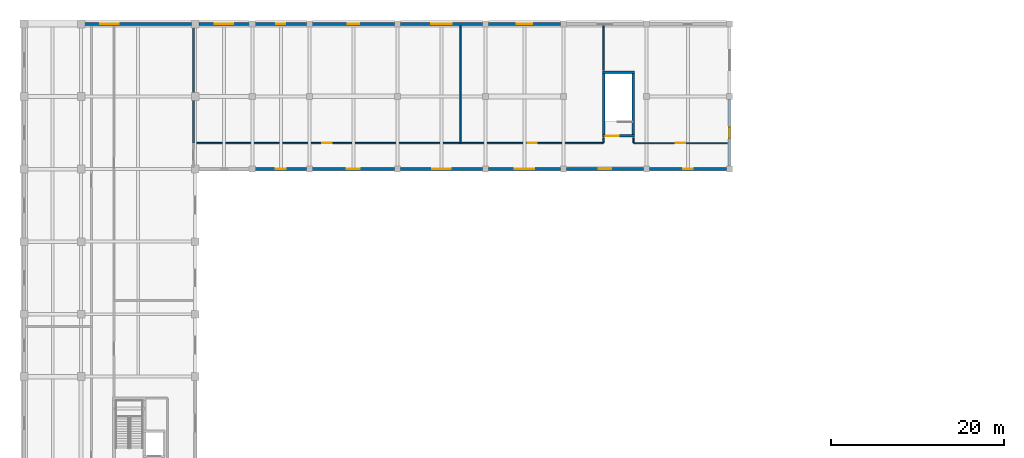
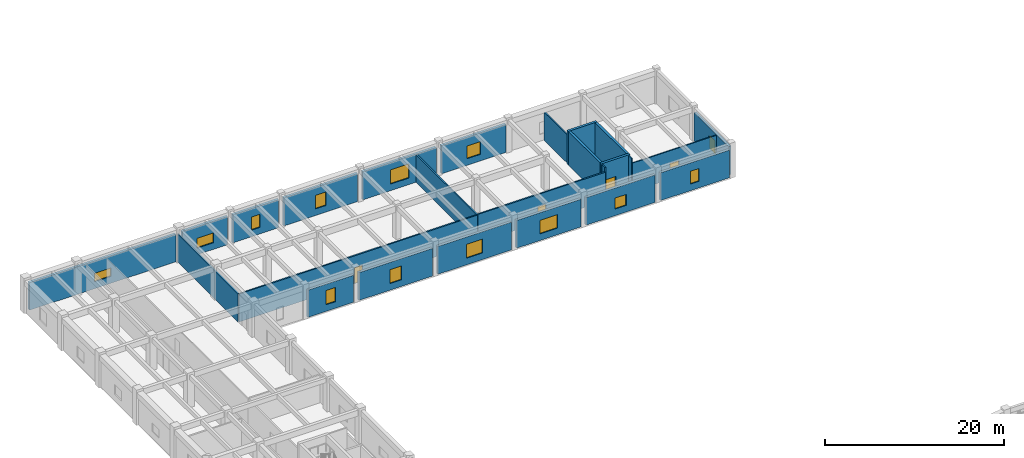
# One storey, part 53 of 68: 25 walls, 13 windows, 4 doors, 17 openings.
"""IFC4 building model written with IfcOpenShell, lengths in metres."""

from ifc_helpers import new_model, si_unit, direction, frame, frame_2d, origin, place, context, subcontext, project, spatial, rectangle, extrude, material, layer, layer_set, type_object, element, fill, save


model = new_model("IFC4")

# Units and contexts
model_context = context("Model", 3, precision=1e-05, world=origin(), true_north=direction((0.0, 1.0)))
body_context = subcontext(model_context, "Body", "Model", "MODEL_VIEW")
ifc_project = project(units=[si_unit("LENGTHUNIT", "METRE"), si_unit("AREAUNIT", "SQUARE_METRE"), si_unit("VOLUMEUNIT", "CUBIC_METRE"), si_unit("PLANEANGLEUNIT", "RADIAN"), si_unit("MASSUNIT", "GRAM", prefix="KILO")], contexts=[model_context])

# Site, building, storey
site_placement = place(None, origin())
site = spatial("IfcSite", under=ifc_project, at=site_placement, CompositionType="ELEMENT")
building_placement = place(site_placement, origin())
building = spatial("IfcBuilding", under=site, at=building_placement, Name="Miralva Faculty of Natural Sciences", CompositionType="ELEMENT")
storey_placement = place(building_placement, frame((0.0, 0.0, 5.39990234375)))
storey = spatial("IfcBuildingStorey", under=building, at=storey_placement, Name="L01", CompositionType="ELEMENT", Elevation=5.39990234375)

# Wall, opening, door
ifc_material_1 = material(Name="Concrete C40/50", Category="concrete")
ifc_layer_1 = layer(ifc_material_1, 0.300048828125, Name="WL-CW03")
ifc_layer_set_1 = layer_set([ifc_layer_1], Name="Concrete C40/50")
wall_type_1 = type_object("IfcWallType", Name="WL-CW03", PredefinedType="SHEAR", material=ifc_layer_set_1)
wall_1_placement = place(storey_placement, frame((69.89990234375, 104.050048828125, 0.0), z_axis=(0.0, 0.0, 1.0), x_axis=(1.0, 0.0, 0.0)))
wall_1 = element("IfcWall", 1, at=wall_1_placement, inside=storey, type_object=wall_type_1, Name="Core C5 shear wall south L01", PredefinedType="SHEAR", context=body_context, shape_type="SweptSolid", body=[
    extrude(rectangle(XDim=3.75, YDim=0.300048828125, at=frame_2d((1.875, 0.0))), origin(), (0.0, 0.0, 1.0), 4.580078125),
])
opening_1_placement = place(wall_1_placement, frame((0.39990234375, 0.0, 0.0)))
opening_1 = element("IfcOpeningElement", 2, at=opening_1_placement, cuts=wall_1, Name="Opening D-11", PredefinedType="OPENING", context=body_context, shape_type="SweptSolid", body=[
    extrude(rectangle(XDim=1.5, YDim=2.199951171875, at=frame_2d((0.75, 1.10009765625))), frame((0.0, 0.159912109375, 0.0), z_axis=(0.0, -1.0, 0.0), x_axis=(1.0, 0.0, 0.0)), (0.0, 0.0, 1.0), 0.320068359375),
])
ifc_material_2 = material(Name="Galvanised steel", Category="steel")
door_type_1 = type_object("IfcDoorType", Name="DR-DI11", OperationType="DOUBLE_DOOR_SINGLE_SWING", PredefinedType="DOOR", material=ifc_material_2)
door_1_placement = place(opening_1_placement, frame((1.5, 0.0, 0.0), z_axis=(0.0, 0.0, 1.0), x_axis=(-1.0, 0.0, 0.0)))
door_1 = element("IfcDoor", 3, at=door_1_placement, inside=storey, type_object=door_type_1, Name="Protected exit stair door Core C5 L01", OperationType="DOUBLE_DOOR_SINGLE_SWING", OverallHeight=2.199951171875, OverallWidth=1.5, PredefinedType="DOOR", context=body_context, shape_type="SweptSolid", body=[
    extrude(rectangle(XDim=1.5, YDim=2.199951171875, at=frame_2d((0.75, 1.10009765625))), frame((0.0, 0.02490234375, 0.0), z_axis=(0.0, -1.0, 0.0), x_axis=(1.0, 0.0, 0.0)), (0.0, 0.0, 1.0), 0.050048828125),
])
fill(opening_1, door_1)

# Walls
wall_2_placement = place(storey_placement, frame((69.89990234375, 111.39990234375, 0.0), z_axis=(0.0, 0.0, 1.0), x_axis=(1.0, 0.0, 0.0)))
element("IfcWall", 4, at=wall_2_placement, inside=storey, type_object=wall_type_1, Name="Core C5 shear wall north L01", PredefinedType="SHEAR", context=body_context, shape_type="SweptSolid", body=[
    extrude(rectangle(XDim=3.75, YDim=0.300048828125, at=frame_2d((1.875, 0.0))), origin(), (0.0, 0.0, 1.0), 4.580078125),
])
for number, where, z_axis, x_axis, name in (
    (5, (70.050048828125, 104.199951171875, 0.0), (0.0, 0.0, 1.0), (0.0, 1.0, 0.0), "Core C5 shear wall west L01"),
    (6, (73.5, 104.199951171875, 0.0), (0.0, 0.0, 1.0), (0.0, 1.0, 0.0), "Core C5 shear wall east L01"),
):
    element("IfcWall", number, at=place(storey_placement, frame(where, z_axis=z_axis, x_axis=x_axis)), inside=storey, type_object=wall_type_1, Name=name, PredefinedType="SHEAR", context=body_context, shape_type="SweptSolid", body=[
        extrude(rectangle(XDim=7.050048828125, YDim=0.300048828125, at=frame_2d((3.52490234375, 0.0))), origin(), (0.0, 0.0, 1.0), 4.580078125),
    ])
ifc_material_3 = material(Name="Gypsum plasterboard")
ifc_layer_2 = layer(ifc_material_3, 0.179931640625, Name="WL-PT02")
ifc_layer_set_2 = layer_set([ifc_layer_2], Name="Gypsum plasterboard")
wall_type_2 = type_object("IfcWallType", Name="WL-PT02", PredefinedType="PARTITIONING", material=ifc_layer_set_2)
wall_3_placement = place(storey_placement, frame((22.60009765625, 103.22998046875, 0.0), z_axis=(0.0, 0.0, 1.0), x_axis=(0.0, 1.0, 0.0)))
element("IfcWall", 7, at=wall_3_placement, inside=storey, type_object=wall_type_2, Name="Interior partition PT-02 L01-232", PredefinedType="PARTITIONING", context=body_context, shape_type="SweptSolid", body=[
    extrude(rectangle(XDim=13.5400390625, YDim=0.179931640625, at=frame_2d((6.77001953125, 0.0))), origin(), (0.0, 0.0, 1.0), 3.8251953125),
])
wall_4_placement = place(storey_placement, frame((53.5, 103.22998046875, 0.0), z_axis=(0.0, 0.0, 1.0), x_axis=(0.0, 1.0, 0.0)))
element("IfcWall", 8, at=wall_4_placement, inside=storey, type_object=wall_type_2, Name="Interior partition PT-02 L01-234", PredefinedType="PARTITIONING", context=body_context, shape_type="SweptSolid", body=[
    extrude(rectangle(XDim=13.5400390625, YDim=0.179931640625, at=frame_2d((6.77001953125, 0.0))), origin(), (0.0, 0.0, 1.0), 3.795166015625),
])

# Wall, opening, door
wall_5_placement = place(storey_placement, frame((22.6298828125, 103.199951171875, 0.0), z_axis=(0.0, 0.0, 1.0), x_axis=(1.0, 0.0, 0.0)))
wall_5 = element("IfcWall", 9, at=wall_5_placement, inside=storey, type_object=wall_type_2, Name="Interior partition PT-02 L01-235", PredefinedType="PARTITIONING", context=body_context, shape_type="SweptSolid", body=[
    extrude(rectangle(XDim=30.840087890625, YDim=0.179931640625, at=frame_2d((15.419921875, 0.0))), origin(), (0.0, 0.0, 1.0), 3.8251953125),
])
opening_2_placement = place(wall_5_placement, frame((14.89501953125, 0.0, 0.0)))
opening_2 = element("IfcOpeningElement", 10, at=opening_2_placement, cuts=wall_5, Name="Opening D-15", PredefinedType="OPENING", context=body_context, shape_type="SweptSolid", body=[
    extrude(rectangle(XDim=1.050048828125, YDim=2.199951171875, at=frame_2d((0.52490234375, 1.10009765625))), frame((0.0, 0.099853515625, 0.0), z_axis=(0.0, -1.0, 0.0), x_axis=(1.0, 0.0, 0.0)), (0.0, 0.0, 1.0), 0.199951171875),
])
door_type_2 = type_object("IfcDoorType", Name="DR-DI15", OperationType="NOTDEFINED", PredefinedType="DOOR", material=ifc_material_2)
door_2_placement = place(opening_2_placement, origin())
door_2 = element("IfcDoor", 11, at=door_2_placement, inside=storey, type_object=door_type_2, Name="Interior door D-15 L01-89", OperationType="SINGLE_SWING_RIGHT", OverallHeight=2.199951171875, OverallWidth=1.050048828125, PredefinedType="DOOR", context=body_context, shape_type="SweptSolid", body=[
    extrude(rectangle(XDim=1.050048828125, YDim=2.199951171875, at=frame_2d((0.52490234375, 1.10009765625))), frame((0.0, 0.02490234375, 0.0), z_axis=(0.0, -1.0, 0.0), x_axis=(1.0, 0.0, 0.0)), (0.0, 0.0, 1.0), 0.050048828125),
])
fill(opening_2, door_2)

# Walls
wall_6_placement = place(storey_placement, frame((70.050048828125, 111.6298828125, 0.0), z_axis=(0.0, 0.0, 1.0), x_axis=(0.0, 1.0, 0.0)))
element("IfcWall", 12, at=wall_6_placement, inside=storey, type_object=wall_type_2, Name="Interior partition PT-02 L01-236", PredefinedType="PARTITIONING", context=body_context, shape_type="SweptSolid", body=[
    extrude(rectangle(XDim=5.14013671875, YDim=0.179931640625, at=frame_2d((2.570068359375, 0.0))), origin(), (0.0, 0.0, 1.0), 3.84521484375),
])
wall_7_placement = place(storey_placement, frame((70.050048828125, 103.22998046875, 0.0), z_axis=(0.0, 0.0, 1.0), x_axis=(0.0, 1.0, 0.0)))
element("IfcWall", 13, at=wall_7_placement, inside=storey, type_object=wall_type_2, Name="Interior partition PT-02 L01-237", PredefinedType="PARTITIONING", context=body_context, shape_type="SweptSolid", body=[
    extrude(rectangle(XDim=0.590087890625, YDim=0.179931640625, at=frame_2d((0.294921875, 0.0))), origin(), (0.0, 0.0, 1.0), 4.47998046875),
])

# Wall, opening, door
wall_8_placement = place(storey_placement, frame((53.530029296875, 103.199951171875, 0.0), z_axis=(0.0, 0.0, 1.0), x_axis=(1.0, 0.0, 0.0)))
wall_8 = element("IfcWall", 14, at=wall_8_placement, inside=storey, type_object=wall_type_2, Name="Interior partition PT-02 L01-238", PredefinedType="PARTITIONING", context=body_context, shape_type="SweptSolid", body=[
    extrude(rectangle(XDim=16.489990234375, YDim=0.179931640625, at=frame_2d((8.2451171875, 0.0))), origin(), (0.0, 0.0, 1.0), 3.89501953125),
])
opening_3_placement = place(wall_8_placement, frame((7.719970703125, 0.0, 0.0)))
opening_3 = element("IfcOpeningElement", 15, at=opening_3_placement, cuts=wall_8, Name="Opening D-15", PredefinedType="OPENING", context=body_context, shape_type="SweptSolid", body=[
    extrude(rectangle(XDim=1.050048828125, YDim=2.199951171875, at=frame_2d((0.52490234375, 1.10009765625))), frame((0.0, 0.099853515625, 0.0), z_axis=(0.0, -1.0, 0.0), x_axis=(1.0, 0.0, 0.0)), (0.0, 0.0, 1.0), 0.199951171875),
])
door_3_placement = place(opening_3_placement, origin())
door_3 = element("IfcDoor", 16, at=door_3_placement, inside=storey, type_object=door_type_2, Name="Interior door D-15 L01-90", OperationType="SINGLE_SWING_LEFT", OverallHeight=2.199951171875, OverallWidth=1.050048828125, PredefinedType="DOOR", context=body_context, shape_type="SweptSolid", body=[
    extrude(rectangle(XDim=1.050048828125, YDim=2.199951171875, at=frame_2d((0.52490234375, 1.10009765625))), frame((0.0, 0.02490234375, 0.0), z_axis=(0.0, -1.0, 0.0), x_axis=(1.0, 0.0, 0.0)), (0.0, 0.0, 1.0), 0.050048828125),
])
fill(opening_3, door_3)

ifc_layer_3 = layer(ifc_material_3, 0.139892578125, Name="WL-PT04")
ifc_layer_set_3 = layer_set([ifc_layer_3], Name="Gypsum plasterboard")
wall_type_3 = type_object("IfcWallType", Name="WL-PT04", PredefinedType="PARTITIONING", material=ifc_layer_set_3)
wall_9_placement = place(storey_placement, frame((73.530029296875, 103.199951171875, 0.0), z_axis=(0.0, 0.0, 1.0), x_axis=(1.0, 0.0, 0.0)))
wall_9 = element("IfcWall", 17, at=wall_9_placement, inside=storey, type_object=wall_type_3, Name="Interior partition PT-04 L01-239", PredefinedType="PARTITIONING", context=body_context, shape_type="SweptSolid", body=[
    extrude(rectangle(XDim=10.840087890625, YDim=0.139892578125, at=frame_2d((5.419921875, 0.0))), origin(), (0.0, 0.0, 1.0), 3.89501953125),
])
opening_4_placement = place(wall_9_placement, frame((4.844970703125, 0.0, 0.0)))
opening_4 = element("IfcOpeningElement", 18, at=opening_4_placement, cuts=wall_9, Name="Opening D-24", PredefinedType="OPENING", context=body_context, shape_type="SweptSolid", body=[
    extrude(rectangle(XDim=1.14990234375, YDim=2.14990234375, at=frame_2d((0.574951171875, 1.074951171875))), frame((0.0, 0.079833984375, 0.0), z_axis=(0.0, -1.0, 0.0), x_axis=(1.0, 0.0, 0.0)), (0.0, 0.0, 1.0), 0.159912109375),
])
ifc_material_4 = material(Name="Anodised aluminium", Category="aluminium")
door_type_3 = type_object("IfcDoorType", Name="DR-DI24", OperationType="NOTDEFINED", PredefinedType="DOOR", material=ifc_material_4)
door_4_placement = place(opening_4_placement, origin())
door_4 = element("IfcDoor", 19, at=door_4_placement, inside=storey, type_object=door_type_3, Name="Interior door D-24 L01-91", OperationType="SINGLE_SWING_RIGHT", OverallHeight=2.14990234375, OverallWidth=1.14990234375, PredefinedType="DOOR", context=body_context, shape_type="SweptSolid", body=[
    extrude(rectangle(XDim=1.14990234375, YDim=2.14990234375, at=frame_2d((0.574951171875, 1.074951171875))), frame((0.0, 0.02490234375, 0.0), z_axis=(0.0, -1.0, 0.0), x_axis=(1.0, 0.0, 0.0)), (0.0, 0.0, 1.0), 0.050048828125),
])
fill(opening_4, door_4)

# Wall
wall_10_placement = place(storey_placement, frame((73.5, 103.22998046875, 0.0), z_axis=(0.0, 0.0, 1.0), x_axis=(0.0, 1.0, 0.0)))
element("IfcWall", 20, at=wall_10_placement, inside=storey, type_object=wall_type_3, Name="Interior partition PT-04 L01-240", PredefinedType="PARTITIONING", context=body_context, shape_type="SweptSolid", body=[
    extrude(rectangle(XDim=0.590087890625, YDim=0.139892578125, at=frame_2d((0.294921875, 0.0))), origin(), (0.0, 0.0, 1.0), 4.47998046875),
])

# Wall, opening, window
ifc_material_5 = material(Name="Precast concrete C40/50", Category="concrete")
ifc_layer_4 = layer(ifc_material_5, 0.320068359375, Name="WL-WT02")
ifc_layer_set_4 = layer_set([ifc_layer_4], Name="Precast concrete C40/50")
wall_type_4 = type_object("IfcWallType", Name="WL-WT02", PredefinedType="SOLIDWALL", material=ifc_layer_set_4)
wall_11_placement = place(storey_placement, frame((3.43505859375, 117.0, 0.0), z_axis=(0.0, 0.0, 1.0), x_axis=(1.0, 0.0, 0.0)))
wall_11 = element("IfcWall", 21, at=wall_11_placement, inside=storey, type_object=wall_type_4, Name="Exterior wall L01-195", PredefinedType="SOLIDWALL", context=body_context, shape_type="SweptSolid", body=[
    extrude(rectangle(XDim=18.929931640625, YDim=0.320068359375, at=frame_2d((9.46484375, 0.0))), origin(), (0.0, 0.0, 1.0), 3.775146484375),
])
opening_5_placement = place(wall_11_placement, frame((8.389892578125, 0.0, 0.949951171875)))
opening_5 = element("IfcOpeningElement", 22, at=opening_5_placement, cuts=wall_11, Name="Opening W-69", PredefinedType="OPENING", context=body_context, shape_type="SweptSolid", body=[
    extrude(rectangle(XDim=2.14990234375, YDim=1.14990234375, at=frame_2d((1.074951171875, 0.574951171875))), frame((0.0, 0.169921875, 0.0), z_axis=(0.0, -1.0, 0.0), x_axis=(1.0, 0.0, 0.0)), (0.0, 0.0, 1.0), 0.340087890625),
])
ifc_material_6 = material(Name="Laminated solar-control glass", Category="glass")
window_type_1 = type_object("IfcWindowType", Name="WN-W69", PartitioningType="DOUBLE_PANEL_VERTICAL", PredefinedType="WINDOW", material=ifc_material_6)
window_1_placement = place(opening_5_placement, origin())
window_1 = element("IfcWindow", 23, at=window_1_placement, inside=storey, type_object=window_type_1, Name="Window W-69 L01-132", OverallHeight=1.14990234375, OverallWidth=2.14990234375, PartitioningType="DOUBLE_PANEL_VERTICAL", PredefinedType="WINDOW", context=body_context, shape_type="SweptSolid", body=[
    extrude(rectangle(XDim=2.14990234375, YDim=1.14990234375, at=frame_2d((1.074951171875, 0.574951171875))), frame((0.0, 0.030029296875, 0.0), z_axis=(0.0, -1.0, 0.0), x_axis=(1.0, 0.0, 0.0)), (0.0, 0.0, 1.0), 0.06005859375),
])
fill(opening_5, window_1)

wall_12_placement = place(storey_placement, frame((23.235107421875, 117.0, 0.0), z_axis=(0.0, 0.0, 1.0), x_axis=(1.0, 0.0, 0.0)))
wall_12 = element("IfcWall", 24, at=wall_12_placement, inside=storey, type_object=wall_type_4, Name="Exterior wall L01-196", PredefinedType="SOLIDWALL", context=body_context, shape_type="SweptSolid", body=[
    extrude(rectangle(XDim=5.829833984375, YDim=0.320068359375, at=frame_2d((2.9150390625, 0.0))), origin(), (0.0, 0.0, 1.0), 3.84521484375),
])
opening_6_placement = place(wall_12_placement, frame((1.840087890625, 0.0, 0.89990234375)))
opening_6 = element("IfcOpeningElement", 25, at=opening_6_placement, cuts=wall_12, Name="Opening W-70", PredefinedType="OPENING", context=body_context, shape_type="SweptSolid", body=[
    extrude(rectangle(XDim=2.14990234375, YDim=1.35009765625, at=frame_2d((1.074951171875, 0.675048828125))), frame((0.0, 0.169921875, 0.0), z_axis=(0.0, -1.0, 0.0), x_axis=(1.0, 0.0, 0.0)), (0.0, 0.0, 1.0), 0.340087890625),
])
window_type_2 = type_object("IfcWindowType", Name="WN-W70", PartitioningType="DOUBLE_PANEL_VERTICAL", PredefinedType="WINDOW", material=ifc_material_6)
window_2_placement = place(opening_6_placement, origin())
window_2 = element("IfcWindow", 26, at=window_2_placement, inside=storey, type_object=window_type_2, Name="Window W-70 L01-133", OverallHeight=1.35009765625, OverallWidth=2.14990234375, PartitioningType="DOUBLE_PANEL_VERTICAL", PredefinedType="WINDOW", context=body_context, shape_type="SweptSolid", body=[
    extrude(rectangle(XDim=2.14990234375, YDim=1.35009765625, at=frame_2d((1.074951171875, 0.675048828125))), frame((0.0, 0.030029296875, 0.0), z_axis=(0.0, -1.0, 0.0), x_axis=(1.0, 0.0, 0.0)), (0.0, 0.0, 1.0), 0.06005859375),
])
fill(opening_6, window_2)

wall_13_placement = place(storey_placement, frame((29.735107421875, 117.0, 0.0), z_axis=(0.0, 0.0, 1.0), x_axis=(1.0, 0.0, 0.0)))
wall_13 = element("IfcWall", 27, at=wall_13_placement, inside=storey, type_object=wall_type_4, Name="Exterior wall L01-198", PredefinedType="SOLIDWALL", context=body_context, shape_type="SweptSolid", body=[
    extrude(rectangle(XDim=5.929931640625, YDim=0.320068359375, at=frame_2d((2.96484375, 0.0))), origin(), (0.0, 0.0, 1.0), 3.84521484375),
])
opening_7_placement = place(wall_13_placement, frame((2.43994140625, 0.0, 0.89990234375)))
opening_7 = element("IfcOpeningElement", 28, at=opening_7_placement, cuts=wall_13, Name="Opening W-02", PredefinedType="OPENING", context=body_context, shape_type="SweptSolid", body=[
    extrude(rectangle(XDim=1.050048828125, YDim=1.800048828125, at=frame_2d((0.52490234375, 0.89990234375))), frame((0.0, 0.169921875, 0.0), z_axis=(0.0, -1.0, 0.0), x_axis=(1.0, 0.0, 0.0)), (0.0, 0.0, 1.0), 0.340087890625),
])
window_type_3 = type_object("IfcWindowType", Name="WN-W02", PartitioningType="SINGLE_PANEL", PredefinedType="WINDOW", material=ifc_material_6)
window_3_placement = place(opening_7_placement, origin())
window_3 = element("IfcWindow", 29, at=window_3_placement, inside=storey, type_object=window_type_3, Name="Window W-02 L01-135", OverallHeight=1.800048828125, OverallWidth=1.050048828125, PartitioningType="SINGLE_PANEL", PredefinedType="WINDOW", context=body_context, shape_type="SweptSolid", body=[
    extrude(rectangle(XDim=1.050048828125, YDim=1.800048828125, at=frame_2d((0.52490234375, 0.89990234375))), frame((0.0, 0.030029296875, 0.0), z_axis=(0.0, -1.0, 0.0), x_axis=(1.0, 0.0, 0.0)), (0.0, 0.0, 1.0), 0.06005859375),
])
fill(opening_7, window_3)

wall_14_placement = place(storey_placement, frame((29.735107421875, 100.199951171875, 0.0), z_axis=(0.0, 0.0, 1.0), x_axis=(1.0, 0.0, 0.0)))
wall_14 = element("IfcWall", 30, at=wall_14_placement, inside=storey, type_object=wall_type_4, Name="Exterior wall L01-199", PredefinedType="SOLIDWALL", context=body_context, shape_type="SweptSolid", body=[
    extrude(rectangle(XDim=5.929931640625, YDim=0.320068359375, at=frame_2d((2.96484375, 0.0))), origin(), (0.0, 0.0, 1.0), 3.705078125),
])
opening_8_placement = place(wall_14_placement, frame((2.364990234375, 0.0, 0.89990234375)))
opening_8 = element("IfcOpeningElement", 31, at=opening_8_placement, cuts=wall_14, Name="Opening W-03", PredefinedType="OPENING", context=body_context, shape_type="SweptSolid", body=[
    extrude(rectangle(XDim=1.199951171875, YDim=1.949951171875, at=frame_2d((0.60009765625, 0.97509765625))), frame((0.0, 0.169921875, 0.0), z_axis=(0.0, -1.0, 0.0), x_axis=(1.0, 0.0, 0.0)), (0.0, 0.0, 1.0), 0.340087890625),
])
window_type_4 = type_object("IfcWindowType", Name="WN-W03", PartitioningType="DOUBLE_PANEL_HORIZONTAL", PredefinedType="WINDOW", material=ifc_material_6)
window_4_placement = place(opening_8_placement, frame((1.199951171875, 0.0, 0.0), z_axis=(0.0, 0.0, 1.0), x_axis=(-1.0, 0.0, 0.0)))
window_4 = element("IfcWindow", 32, at=window_4_placement, inside=storey, type_object=window_type_4, Name="Window W-03 L01-136", OverallHeight=1.949951171875, OverallWidth=1.199951171875, PartitioningType="DOUBLE_PANEL_HORIZONTAL", PredefinedType="WINDOW", context=body_context, shape_type="SweptSolid", body=[
    extrude(rectangle(XDim=1.199951171875, YDim=1.949951171875, at=frame_2d((0.60009765625, 0.97509765625))), frame((0.0, 0.030029296875, 0.0), z_axis=(0.0, -1.0, 0.0), x_axis=(1.0, 0.0, 0.0)), (0.0, 0.0, 1.0), 0.06005859375),
])
fill(opening_8, window_4)

wall_15_placement = place(storey_placement, frame((36.3349609375, 117.0, 0.0), z_axis=(0.0, 0.0, 1.0), x_axis=(1.0, 0.0, 0.0)))
wall_15 = element("IfcWall", 33, at=wall_15_placement, inside=storey, type_object=wall_type_4, Name="Exterior wall L01-200", PredefinedType="SOLIDWALL", context=body_context, shape_type="SweptSolid", body=[
    extrude(rectangle(XDim=9.530029296875, YDim=0.320068359375, at=frame_2d((4.76513671875, 0.0))), origin(), (0.0, 0.0, 1.0), 3.84521484375),
])
opening_9_placement = place(wall_15_placement, frame((4.090087890625, 0.0, 0.89990234375)))
opening_9 = element("IfcOpeningElement", 34, at=opening_9_placement, cuts=wall_15, Name="Opening W-05", PredefinedType="OPENING", context=body_context, shape_type="SweptSolid", body=[
    extrude(rectangle(XDim=1.35009765625, YDim=1.85009765625, at=frame_2d((0.675048828125, 0.925048828125))), frame((0.0, 0.169921875, 0.0), z_axis=(0.0, -1.0, 0.0), x_axis=(1.0, 0.0, 0.0)), (0.0, 0.0, 1.0), 0.340087890625),
])
window_type_5 = type_object("IfcWindowType", Name="WN-W05", PartitioningType="DOUBLE_PANEL_VERTICAL", PredefinedType="WINDOW", material=ifc_material_6)
window_5_placement = place(opening_9_placement, origin())
window_5 = element("IfcWindow", 35, at=window_5_placement, inside=storey, type_object=window_type_5, Name="Window W-05 L01-137", OverallHeight=1.85009765625, OverallWidth=1.35009765625, PartitioningType="DOUBLE_PANEL_VERTICAL", PredefinedType="WINDOW", context=body_context, shape_type="SweptSolid", body=[
    extrude(rectangle(XDim=1.35009765625, YDim=1.85009765625, at=frame_2d((0.675048828125, 0.925048828125))), frame((0.0, 0.030029296875, 0.0), z_axis=(0.0, -1.0, 0.0), x_axis=(1.0, 0.0, 0.0)), (0.0, 0.0, 1.0), 0.06005859375),
])
fill(opening_9, window_5)

wall_16_placement = place(storey_placement, frame((36.3349609375, 100.199951171875, 0.0), z_axis=(0.0, 0.0, 1.0), x_axis=(1.0, 0.0, 0.0)))
wall_16 = element("IfcWall", 36, at=wall_16_placement, inside=storey, type_object=wall_type_4, Name="Exterior wall L01-201", PredefinedType="SOLIDWALL", context=body_context, shape_type="SweptSolid", body=[
    extrude(rectangle(XDim=9.530029296875, YDim=0.320068359375, at=frame_2d((4.76513671875, 0.0))), origin(), (0.0, 0.0, 1.0), 3.795166015625),
])
opening_10_placement = place(wall_16_placement, frame((4.014892578125, 0.0, 0.89990234375)))
opening_10 = element("IfcOpeningElement", 37, at=opening_10_placement, cuts=wall_16, Name="Opening W-06", PredefinedType="OPENING", context=body_context, shape_type="SweptSolid", body=[
    extrude(rectangle(XDim=1.5, YDim=1.89990234375, at=frame_2d((0.75, 0.949951171875))), frame((0.0, 0.169921875, 0.0), z_axis=(0.0, -1.0, 0.0), x_axis=(1.0, 0.0, 0.0)), (0.0, 0.0, 1.0), 0.340087890625),
])
window_type_6 = type_object("IfcWindowType", Name="WN-W06", PartitioningType="DOUBLE_PANEL_VERTICAL", PredefinedType="WINDOW", material=ifc_material_6)
window_6_placement = place(opening_10_placement, frame((1.5, 0.0, 0.0), z_axis=(0.0, 0.0, 1.0), x_axis=(-1.0, 0.0, 0.0)))
window_6 = element("IfcWindow", 38, at=window_6_placement, inside=storey, type_object=window_type_6, Name="Window W-06 L01-138", OverallHeight=1.89990234375, OverallWidth=1.5, PartitioningType="DOUBLE_PANEL_VERTICAL", PredefinedType="WINDOW", context=body_context, shape_type="SweptSolid", body=[
    extrude(rectangle(XDim=1.5, YDim=1.89990234375, at=frame_2d((0.75, 0.949951171875))), frame((0.0, 0.030029296875, 0.0), z_axis=(0.0, -1.0, 0.0), x_axis=(1.0, 0.0, 0.0)), (0.0, 0.0, 1.0), 0.06005859375),
])
fill(opening_10, window_6)

wall_17_placement = place(storey_placement, frame((46.534912109375, 117.0, 0.0), z_axis=(0.0, 0.0, 1.0), x_axis=(1.0, 0.0, 0.0)))
wall_17 = element("IfcWall", 39, at=wall_17_placement, inside=storey, type_object=wall_type_4, Name="Exterior wall L01-202", PredefinedType="SOLIDWALL", context=body_context, shape_type="SweptSolid", body=[
    extrude(rectangle(XDim=9.530029296875, YDim=0.320068359375, at=frame_2d((4.76513671875, 0.0))), origin(), (0.0, 0.0, 1.0), 3.84521484375),
])
opening_11_placement = place(wall_17_placement, frame((3.56494140625, 0.0, 0.89990234375)))
opening_11 = element("IfcOpeningElement", 40, at=opening_11_placement, cuts=wall_17, Name="Opening W-07", PredefinedType="OPENING", context=body_context, shape_type="SweptSolid", body=[
    extrude(rectangle(XDim=2.39990234375, YDim=1.949951171875, at=frame_2d((1.199951171875, 0.97509765625))), frame((0.0, 0.169921875, 0.0), z_axis=(0.0, -1.0, 0.0), x_axis=(1.0, 0.0, 0.0)), (0.0, 0.0, 1.0), 0.340087890625),
])
window_type_7 = type_object("IfcWindowType", Name="WN-W07", PartitioningType="DOUBLE_PANEL_VERTICAL", PredefinedType="WINDOW", material=ifc_material_6)
window_7_placement = place(opening_11_placement, origin())
window_7 = element("IfcWindow", 41, at=window_7_placement, inside=storey, type_object=window_type_7, Name="Window W-07 L01-139", OverallHeight=1.949951171875, OverallWidth=2.39990234375, PartitioningType="DOUBLE_PANEL_VERTICAL", PredefinedType="WINDOW", context=body_context, shape_type="SweptSolid", body=[
    extrude(rectangle(XDim=2.39990234375, YDim=1.949951171875, at=frame_2d((1.199951171875, 0.97509765625))), frame((0.0, 0.030029296875, 0.0), z_axis=(0.0, -1.0, 0.0), x_axis=(1.0, 0.0, 0.0)), (0.0, 0.0, 1.0), 0.06005859375),
])
fill(opening_11, window_7)

wall_18_placement = place(storey_placement, frame((46.534912109375, 100.199951171875, 0.0), z_axis=(0.0, 0.0, 1.0), x_axis=(1.0, 0.0, 0.0)))
wall_18 = element("IfcWall", 42, at=wall_18_placement, inside=storey, type_object=wall_type_4, Name="Exterior wall L01-203", PredefinedType="SOLIDWALL", context=body_context, shape_type="SweptSolid", body=[
    extrude(rectangle(XDim=9.530029296875, YDim=0.320068359375, at=frame_2d((4.76513671875, 0.0))), origin(), (0.0, 0.0, 1.0), 3.80517578125),
])
opening_12_placement = place(wall_18_placement, frame((3.715087890625, 0.0, 0.89990234375)))
opening_12 = element("IfcOpeningElement", 43, at=opening_12_placement, cuts=wall_18, Name="Opening W-09", PredefinedType="OPENING", context=body_context, shape_type="SweptSolid", body=[
    extrude(rectangle(XDim=2.10009765625, YDim=1.89990234375, at=frame_2d((1.050048828125, 0.949951171875))), frame((0.0, 0.169921875, 0.0), z_axis=(0.0, -1.0, 0.0), x_axis=(1.0, 0.0, 0.0)), (0.0, 0.0, 1.0), 0.340087890625),
])
window_type_8 = type_object("IfcWindowType", Name="WN-W09", PartitioningType="DOUBLE_PANEL_VERTICAL", PredefinedType="WINDOW", material=ifc_material_6)
window_8_placement = place(opening_12_placement, frame((2.10009765625, 0.0, 0.0), z_axis=(0.0, 0.0, 1.0), x_axis=(-1.0, 0.0, 0.0)))
window_8 = element("IfcWindow", 44, at=window_8_placement, inside=storey, type_object=window_type_8, Name="Window W-09 L01-140", OverallHeight=1.89990234375, OverallWidth=2.10009765625, PartitioningType="DOUBLE_PANEL_VERTICAL", PredefinedType="WINDOW", context=body_context, shape_type="SweptSolid", body=[
    extrude(rectangle(XDim=2.10009765625, YDim=1.89990234375, at=frame_2d((1.050048828125, 0.949951171875))), frame((0.0, 0.030029296875, 0.0), z_axis=(0.0, -1.0, 0.0), x_axis=(1.0, 0.0, 0.0)), (0.0, 0.0, 1.0), 0.06005859375),
])
fill(opening_12, window_8)

wall_19_placement = place(storey_placement, frame((56.735107421875, 117.0, 0.0), z_axis=(0.0, 0.0, 1.0), x_axis=(1.0, 0.0, 0.0)))
wall_19 = element("IfcWall", 45, at=wall_19_placement, inside=storey, type_object=wall_type_4, Name="Exterior wall L01-204", PredefinedType="SOLIDWALL", context=body_context, shape_type="SweptSolid", body=[
    extrude(rectangle(XDim=8.329833984375, YDim=0.320068359375, at=frame_2d((4.1650390625, 0.0))), origin(), (0.0, 0.0, 1.0), 3.84521484375),
])
opening_13_placement = place(wall_19_placement, frame((3.264892578125, 0.0, 0.89990234375)))
opening_13 = element("IfcOpeningElement", 46, at=opening_13_placement, cuts=wall_19, Name="Opening W-10", PredefinedType="OPENING", context=body_context, shape_type="SweptSolid", body=[
    extrude(rectangle(XDim=1.800048828125, YDim=1.75, at=frame_2d((0.89990234375, 0.875))), frame((0.0, 0.169921875, 0.0), z_axis=(0.0, -1.0, 0.0), x_axis=(1.0, 0.0, 0.0)), (0.0, 0.0, 1.0), 0.340087890625),
])
window_type_9 = type_object("IfcWindowType", Name="WN-W10", PartitioningType="DOUBLE_PANEL_HORIZONTAL", PredefinedType="WINDOW", material=ifc_material_6)
window_9_placement = place(opening_13_placement, origin())
window_9 = element("IfcWindow", 47, at=window_9_placement, inside=storey, type_object=window_type_9, Name="Window W-10 L01-141", OverallHeight=1.75, OverallWidth=1.800048828125, PartitioningType="DOUBLE_PANEL_HORIZONTAL", PredefinedType="WINDOW", context=body_context, shape_type="SweptSolid", body=[
    extrude(rectangle(XDim=1.800048828125, YDim=1.75, at=frame_2d((0.89990234375, 0.875))), frame((0.0, 0.030029296875, 0.0), z_axis=(0.0, -1.0, 0.0), x_axis=(1.0, 0.0, 0.0)), (0.0, 0.0, 1.0), 0.06005859375),
])
fill(opening_13, window_9)

wall_20_placement = place(storey_placement, frame((56.735107421875, 100.199951171875, 0.0), z_axis=(0.0, 0.0, 1.0), x_axis=(1.0, 0.0, 0.0)))
wall_20 = element("IfcWall", 48, at=wall_20_placement, inside=storey, type_object=wall_type_4, Name="Exterior wall L01-205", PredefinedType="SOLIDWALL", context=body_context, shape_type="SweptSolid", body=[
    extrude(rectangle(XDim=8.329833984375, YDim=0.320068359375, at=frame_2d((4.1650390625, 0.0))), origin(), (0.0, 0.0, 1.0), 3.795166015625),
])
opening_14_placement = place(wall_20_placement, frame((3.0400390625, 0.0, 0.89990234375)))
opening_14 = element("IfcOpeningElement", 49, at=opening_14_placement, cuts=wall_20, Name="Opening W-12", PredefinedType="OPENING", context=body_context, shape_type="SweptSolid", body=[
    extrude(rectangle(XDim=2.25, YDim=1.85009765625, at=frame_2d((1.125, 0.925048828125))), frame((0.0, 0.169921875, 0.0), z_axis=(0.0, -1.0, 0.0), x_axis=(1.0, 0.0, 0.0)), (0.0, 0.0, 1.0), 0.340087890625),
])
window_type_10 = type_object("IfcWindowType", Name="WN-W12", PartitioningType="DOUBLE_PANEL_VERTICAL", PredefinedType="WINDOW", material=ifc_material_6)
window_10_placement = place(opening_14_placement, frame((2.25, 0.0, 0.0), z_axis=(0.0, 0.0, 1.0), x_axis=(-1.0, 0.0, 0.0)))
window_10 = element("IfcWindow", 50, at=window_10_placement, inside=storey, type_object=window_type_10, Name="Window W-12 L01-142", OverallHeight=1.85009765625, OverallWidth=2.25, PartitioningType="DOUBLE_PANEL_VERTICAL", PredefinedType="WINDOW", context=body_context, shape_type="SweptSolid", body=[
    extrude(rectangle(XDim=2.25, YDim=1.85009765625, at=frame_2d((1.125, 0.925048828125))), frame((0.0, 0.030029296875, 0.0), z_axis=(0.0, -1.0, 0.0), x_axis=(1.0, 0.0, 0.0)), (0.0, 0.0, 1.0), 0.06005859375),
])
fill(opening_14, window_10)

wall_21_placement = place(storey_placement, frame((65.735107421875, 100.199951171875, 0.0), z_axis=(0.0, 0.0, 1.0), x_axis=(1.0, 0.0, 0.0)))
wall_21 = element("IfcWall", 51, at=wall_21_placement, inside=storey, type_object=wall_type_4, Name="Exterior wall L01-207", PredefinedType="SOLIDWALL", context=body_context, shape_type="SweptSolid", body=[
    extrude(rectangle(XDim=8.929931640625, YDim=0.320068359375, at=frame_2d((4.46484375, 0.0))), origin(), (0.0, 0.0, 1.0), 3.76513671875),
])
opening_15_placement = place(wall_21_placement, frame((3.739990234375, 0.0, 0.89990234375)))
opening_15 = element("IfcOpeningElement", 52, at=opening_15_placement, cuts=wall_21, Name="Opening W-19", PredefinedType="OPENING", context=body_context, shape_type="SweptSolid", body=[
    extrude(rectangle(XDim=1.449951171875, YDim=1.5, at=frame_2d((0.72509765625, 0.75))), frame((0.0, 0.169921875, 0.0), z_axis=(0.0, -1.0, 0.0), x_axis=(1.0, 0.0, 0.0)), (0.0, 0.0, 1.0), 0.340087890625),
])
window_type_11 = type_object("IfcWindowType", Name="WN-W19", PartitioningType="SINGLE_PANEL", PredefinedType="WINDOW", material=ifc_material_6)
window_11_placement = place(opening_15_placement, frame((1.449951171875, 0.0, 0.0), z_axis=(0.0, 0.0, 1.0), x_axis=(-1.0, 0.0, 0.0)))
window_11 = element("IfcWindow", 53, at=window_11_placement, inside=storey, type_object=window_type_11, Name="Window W-19 L01-144", OverallHeight=1.5, OverallWidth=1.449951171875, PartitioningType="SINGLE_PANEL", PredefinedType="WINDOW", context=body_context, shape_type="SweptSolid", body=[
    extrude(rectangle(XDim=1.449951171875, YDim=1.5, at=frame_2d((0.72509765625, 0.75))), frame((0.0, 0.030029296875, 0.0), z_axis=(0.0, -1.0, 0.0), x_axis=(1.0, 0.0, 0.0)), (0.0, 0.0, 1.0), 0.06005859375),
])
fill(opening_15, window_11)

wall_22_placement = place(storey_placement, frame((75.3349609375, 100.199951171875, 0.0), z_axis=(0.0, 0.0, 1.0), x_axis=(1.0, 0.0, 0.0)))
wall_22 = element("IfcWall", 54, at=wall_22_placement, inside=storey, type_object=wall_type_4, Name="Exterior wall L01-209", PredefinedType="SOLIDWALL", context=body_context, shape_type="SweptSolid", body=[
    extrude(rectangle(XDim=8.929931640625, YDim=0.320068359375, at=frame_2d((4.46484375, 0.0))), origin(), (0.0, 0.0, 1.0), 3.795166015625),
])
opening_16_placement = place(wall_22_placement, frame((3.9150390625, 0.0, 0.89990234375)))
opening_16 = element("IfcOpeningElement", 55, at=opening_16_placement, cuts=wall_22, Name="Opening W-22", PredefinedType="OPENING", context=body_context, shape_type="SweptSolid", body=[
    extrude(rectangle(XDim=1.10009765625, YDim=1.75, at=frame_2d((0.550048828125, 0.875))), frame((0.0, 0.169921875, 0.0), z_axis=(0.0, -1.0, 0.0), x_axis=(1.0, 0.0, 0.0)), (0.0, 0.0, 1.0), 0.340087890625),
])
window_type_12 = type_object("IfcWindowType", Name="WN-W22", PartitioningType="DOUBLE_PANEL_VERTICAL", PredefinedType="WINDOW", material=ifc_material_6)
window_12_placement = place(opening_16_placement, frame((1.10009765625, 0.0, 0.0), z_axis=(0.0, 0.0, 1.0), x_axis=(-1.0, 0.0, 0.0)))
window_12 = element("IfcWindow", 56, at=window_12_placement, inside=storey, type_object=window_type_12, Name="Window W-22 L01-146", OverallHeight=1.75, OverallWidth=1.10009765625, PartitioningType="DOUBLE_PANEL_VERTICAL", PredefinedType="WINDOW", context=body_context, shape_type="SweptSolid", body=[
    extrude(rectangle(XDim=1.10009765625, YDim=1.75, at=frame_2d((0.550048828125, 0.875))), frame((0.0, 0.030029296875, 0.0), z_axis=(0.0, -1.0, 0.0), x_axis=(1.0, 0.0, 0.0)), (0.0, 0.0, 1.0), 0.06005859375),
])
fill(opening_16, window_12)

wall_23_placement = place(storey_placement, frame((84.60009765625, 100.534912109375, 0.0), z_axis=(0.0, 0.0, 1.0), x_axis=(0.0, 1.0, 0.0)))
wall_23 = element("IfcWall", 57, at=wall_23_placement, inside=storey, type_object=wall_type_4, Name="Exterior wall L01-210", PredefinedType="SOLIDWALL", context=body_context, shape_type="SweptSolid", body=[
    extrude(rectangle(XDim=7.72998046875, YDim=0.320068359375, at=frame_2d((3.864990234375, 0.0))), origin(), (0.0, 0.0, 1.0), 3.89501953125),
])
opening_17_placement = place(wall_23_placement, frame((3.239990234375, 0.0, 0.89990234375)))
opening_17 = element("IfcOpeningElement", 58, at=opening_17_placement, cuts=wall_23, Name="Opening W-23", PredefinedType="OPENING", context=body_context, shape_type="SweptSolid", body=[
    extrude(rectangle(XDim=1.25, YDim=1.800048828125, at=frame_2d((0.625, 0.89990234375))), frame((0.0, 0.169921875, 0.0), z_axis=(0.0, -1.0, 0.0), x_axis=(1.0, 0.0, 0.0)), (0.0, 0.0, 1.0), 0.340087890625),
])
window_type_13 = type_object("IfcWindowType", Name="WN-W23", PartitioningType="DOUBLE_PANEL_VERTICAL", PredefinedType="WINDOW", material=ifc_material_6)
window_13_placement = place(opening_17_placement, frame((1.25, 0.0, 0.0), z_axis=(0.0, 0.0, 1.0), x_axis=(-1.0, 0.0, 0.0)))
window_13 = element("IfcWindow", 59, at=window_13_placement, inside=storey, type_object=window_type_13, Name="Window W-23 L01-147", OverallHeight=1.800048828125, OverallWidth=1.25, PartitioningType="DOUBLE_PANEL_VERTICAL", PredefinedType="WINDOW", context=body_context, shape_type="SweptSolid", body=[
    extrude(rectangle(XDim=1.25, YDim=1.800048828125, at=frame_2d((0.625, 0.89990234375))), frame((0.0, 0.030029296875, 0.0), z_axis=(0.0, -1.0, 0.0), x_axis=(1.0, 0.0, 0.0)), (0.0, 0.0, 1.0), 0.06005859375),
])
fill(opening_17, window_13)

save(model, "model.ifc")
